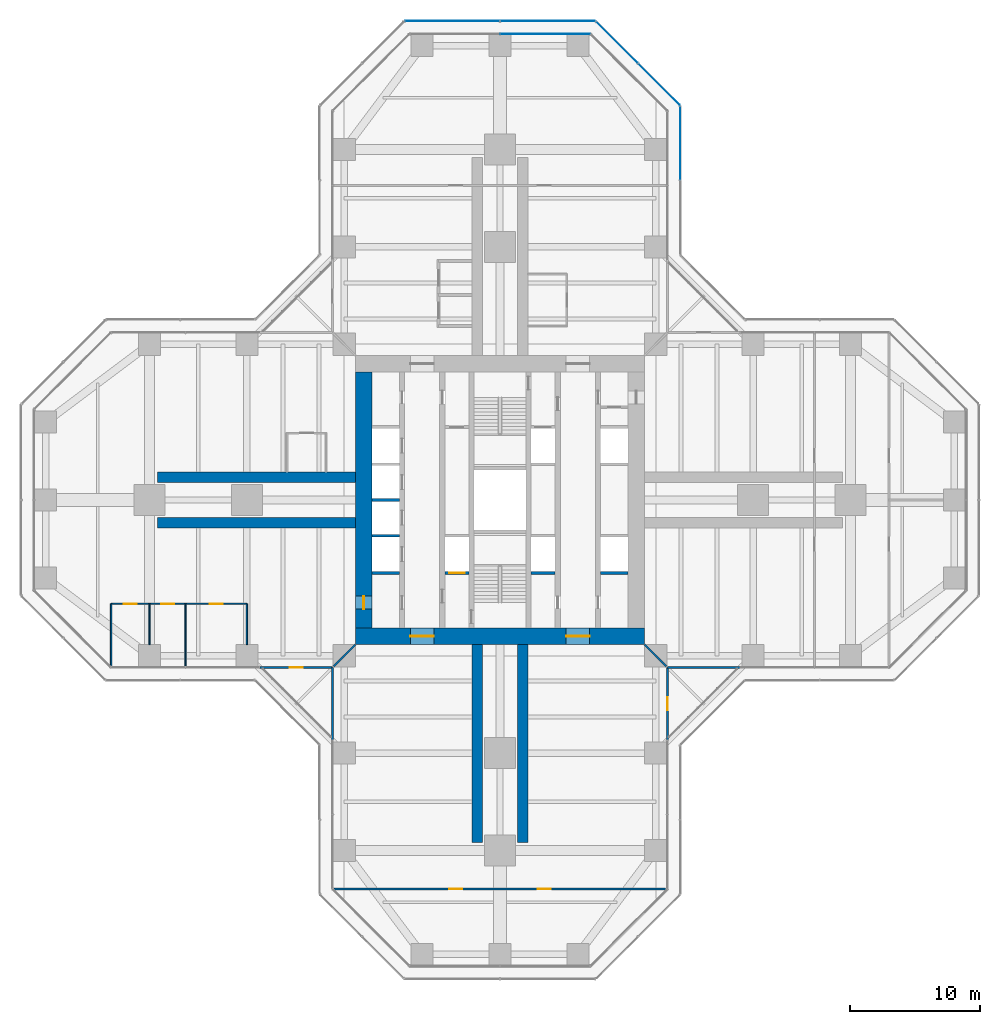
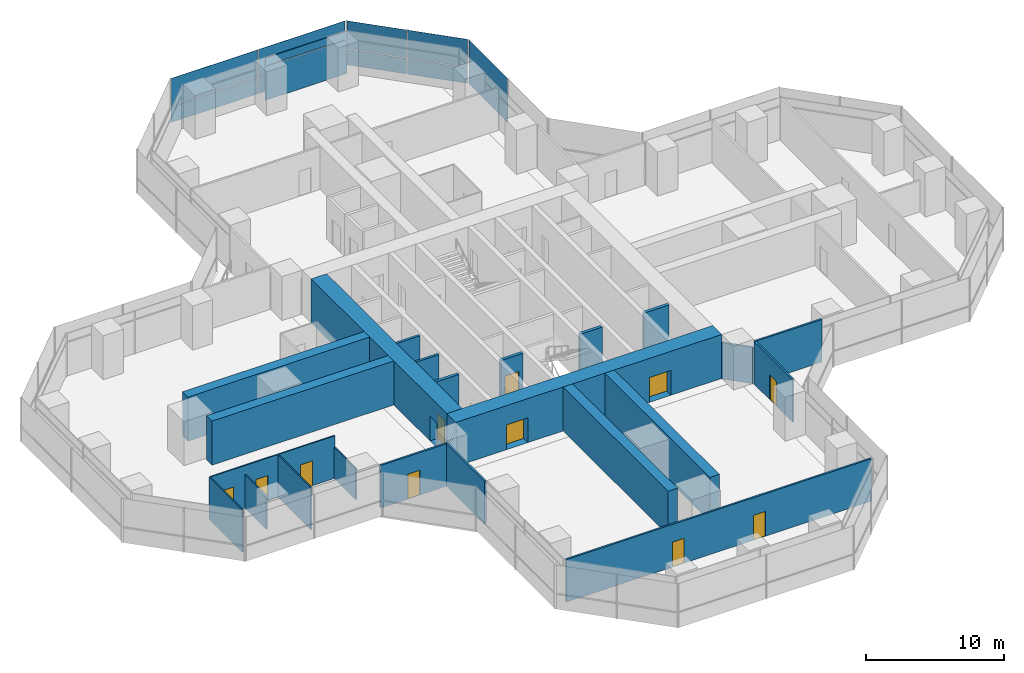
# One storey, part 17 of 22: 24 walls, 12 plates, 11 doors, 11 openings, 4 elements without a shape of their own.
"""IFC4 building model written with IfcOpenShell, lengths in metres."""

from ifc_helpers import new_model, si_unit, direction, frame, frame_2d, origin, origin_2d, place, context, subcontext, project, spatial, rectangle, extrude, material, layer, layer_set, type_object, element, fill, aggregate, save


model = new_model("IFC4")

# Units and contexts
model_context = context("Model", 3, precision=1e-05, world=origin(), true_north=direction((0.0, 1.0)))
body_context = subcontext(model_context, "Body", "Model", "MODEL_VIEW")
ifc_project = project(units=[si_unit("LENGTHUNIT", "METRE"), si_unit("AREAUNIT", "SQUARE_METRE"), si_unit("VOLUMEUNIT", "CUBIC_METRE"), si_unit("PLANEANGLEUNIT", "RADIAN"), si_unit("MASSUNIT", "GRAM", prefix="KILO")], contexts=[model_context])

# Site, building, storey
site_placement = place(None, origin())
site = spatial("IfcSite", under=ifc_project, at=site_placement, CompositionType="ELEMENT")
building_placement = place(site_placement, origin())
building = spatial("IfcBuilding", under=site, at=building_placement, Name="Mizan Broadcast Tower", CompositionType="ELEMENT")
storey_placement = place(building_placement, frame((0.0, 0.0, 66.89990234375)))
storey = spatial("IfcBuildingStorey", under=building, at=storey_placement, Name="L13", CompositionType="ELEMENT", Elevation=66.89990234375)

# Curtain wall, plates
ifc_material_1 = material(Name="Aluminium framed glazing", Category="aluminium")
curtain_wall_type_1 = type_object("IfcCurtainWallType", Name="INNER SKIN LOW ZONE", PredefinedType="USERDEFINED", material=ifc_material_1)
curtain_wall_1_placement = place(storey_placement, origin())
curtain_wall_1 = element("IfcCurtainWall", 1, at=curtain_wall_1_placement, inside=storey, type_object=curtain_wall_type_1, Name="Inner skin low zone L13 N end", ObjectType="INNER SKIN LOW ZONE", PredefinedType="USERDEFINED")
ifc_material_2 = material(Name="Double glazing, clear low-e", Category="glass")
ifc_layer_1 = layer(ifc_material_2, 0.028076171875)
ifc_layer_set_1 = layer_set([ifc_layer_1], Name="Double glazing, clear low-e")
plate_type_1 = type_object("IfcPlateType", Name="INNER SKIN GLAZING UNIT", PredefinedType="CURTAIN_PANEL", material=ifc_layer_set_1)
plate_1_placement = place(storey_placement, frame((3.46435546875, 35.89990234375, 0.0), z_axis=(0.0, 0.0, 1.0), x_axis=(-1.0, 0.0, 0.0)))
plate_1 = element("IfcPlate", 2, at=plate_1_placement, type_object=plate_type_1, Name="Inner skin low zone L13 N end panel 1.1", PredefinedType="CURTAIN_PANEL", context=body_context, shape_type="SweptSolid", body=[
    extrude(rectangle(XDim=6.86865234375, YDim=0.028076171875, at=origin_2d()), origin(), (0.0, 0.0, 1.0), 3.0),
])
ifc_material_3 = material(Name="Insulated aluminium spandrel panel, pale anodised", Category="aluminium")
ifc_layer_2 = layer(ifc_material_3, 0.050048828125)
ifc_layer_set_2 = layer_set([ifc_layer_2], Name="Insulated aluminium spandrel panel, pale anodised")
plate_type_2 = type_object("IfcPlateType", Name="INNER SKIN SPANDREL PANEL", PredefinedType="CURTAIN_PANEL", material=ifc_layer_set_2)
plate_2_placement = place(storey_placement, frame((3.46435546875, 35.89990234375, 3.06005859375), z_axis=(0.0, 0.0, 1.0), x_axis=(-1.0, 0.0, 0.0)))
plate_2 = element("IfcPlate", 3, at=plate_2_placement, type_object=plate_type_2, Name="Inner skin low zone L13 N end panel 1.2", PredefinedType="CURTAIN_PANEL", context=body_context, shape_type="SweptSolid", body=[
    extrude(rectangle(XDim=6.86865234375, YDim=0.050048828125, at=origin_2d()), origin(), (0.0, 0.0, 1.0), 0.7099609375),
])
aggregate(curtain_wall_1, [plate_1, plate_2])

ifc_material_4 = material(Name="Aluminium framed glazing", Category="aluminium")
curtain_wall_type_2 = type_object("IfcCurtainWallType", Name="OUTER SKIN", PredefinedType="USERDEFINED", material=ifc_material_4)
curtain_wall_2_placement = place(storey_placement, origin())
curtain_wall_2 = element("IfcCurtainWall", 4, at=curtain_wall_2_placement, inside=storey, type_object=curtain_wall_type_2, Name="Outer skin L13 N chamfer", ObjectType="OUTER SKIN", PredefinedType="USERDEFINED")
ifc_material_5 = material(Name="Laminated clear glass", Category="glass")
ifc_layer_3 = layer(ifc_material_5, 0.02001953125)
ifc_layer_set_3 = layer_set([ifc_layer_3], Name="Laminated clear glass")
plate_type_3 = type_object("IfcPlateType", Name="OUTER SKIN CLEAR GLASS", PredefinedType="CURTAIN_PANEL", material=ifc_layer_set_3)
plate_3_placement = place(storey_placement, frame((12.254150390625, 32.018798828125, 0.0), z_axis=(0.0, 0.0, 1.0), x_axis=(-0.707106781187, 0.707106781187, 0.0)))
plate_3 = element("IfcPlate", 5, at=plate_3_placement, type_object=plate_type_3, Name="Outer skin L13 N chamfer panel 1.1", PredefinedType="CURTAIN_PANEL", context=body_context, shape_type="SweptSolid", body=[
    extrude(rectangle(XDim=4.495361328125, YDim=0.02001953125, at=origin_2d()), origin(), (0.0, 0.0, 1.0), 1.3701171875),
])
plate_4_placement = place(storey_placement, frame((12.254150390625, 32.018798828125, 1.43017578125), z_axis=(0.0, 0.0, 1.0), x_axis=(-0.707106781187, 0.707106781187, 0.0)))
plate_4 = element("IfcPlate", 6, at=plate_4_placement, type_object=plate_type_3, Name="Outer skin L13 N chamfer panel 1.2", PredefinedType="CURTAIN_PANEL", context=body_context, shape_type="SweptSolid", body=[
    extrude(rectangle(XDim=4.495361328125, YDim=0.02001953125, at=origin_2d()), origin(), (0.0, 0.0, 1.0), 2.469970703125),
])

curtain_wall_3_placement = place(storey_placement, origin())
curtain_wall_3 = element("IfcCurtainWall", 7, at=curtain_wall_3_placement, inside=storey, type_object=curtain_wall_type_2, Name="Outer skin L13 N end", ObjectType="OUTER SKIN", PredefinedType="USERDEFINED")
plate_5_placement = place(storey_placement, frame((3.66650390625, 36.89990234375, 0.0), z_axis=(0.0, 0.0, 1.0), x_axis=(-1.0, 0.0, 0.0)))
plate_5 = element("IfcPlate", 8, at=plate_5_placement, type_object=plate_type_3, Name="Outer skin L13 N end panel 1.1", PredefinedType="CURTAIN_PANEL", context=body_context, shape_type="SweptSolid", body=[
    extrude(rectangle(XDim=7.252685546875, YDim=0.02001953125, at=origin_2d()), origin(), (0.0, 0.0, 1.0), 1.3701171875),
])
plate_6_placement = place(storey_placement, frame((3.66650390625, 36.89990234375, 1.43017578125), z_axis=(0.0, 0.0, 1.0), x_axis=(-1.0, 0.0, 0.0)))
plate_6 = element("IfcPlate", 9, at=plate_6_placement, type_object=plate_type_3, Name="Outer skin L13 N end panel 1.2", PredefinedType="CURTAIN_PANEL", context=body_context, shape_type="SweptSolid", body=[
    extrude(rectangle(XDim=7.252685546875, YDim=0.02001953125, at=origin_2d()), origin(), (0.0, 0.0, 1.0), 2.469970703125),
])
plate_7_placement = place(storey_placement, frame((-3.66650390625, 36.89990234375, 0.0), z_axis=(0.0, 0.0, 1.0), x_axis=(-1.0, 0.0, 0.0)))
plate_7 = element("IfcPlate", 10, at=plate_7_placement, type_object=plate_type_3, Name="Outer skin L13 N end panel 2.1", PredefinedType="CURTAIN_PANEL", context=body_context, shape_type="SweptSolid", body=[
    extrude(rectangle(XDim=7.252685546875, YDim=0.02001953125, at=origin_2d()), origin(), (0.0, 0.0, 1.0), 1.3701171875),
])
plate_8_placement = place(storey_placement, frame((-3.66650390625, 36.89990234375, 1.43017578125), z_axis=(0.0, 0.0, 1.0), x_axis=(-1.0, 0.0, 0.0)))
plate_8 = element("IfcPlate", 11, at=plate_8_placement, type_object=plate_type_3, Name="Outer skin L13 N end panel 2.2", PredefinedType="CURTAIN_PANEL", context=body_context, shape_type="SweptSolid", body=[
    extrude(rectangle(XDim=7.252685546875, YDim=0.02001953125, at=origin_2d()), origin(), (0.0, 0.0, 1.0), 2.469970703125),
])
aggregate(curtain_wall_3, [plate_5, plate_6, plate_7, plate_8])

curtain_wall_4_placement = place(storey_placement, origin())
curtain_wall_4 = element("IfcCurtainWall", 12, at=curtain_wall_4_placement, inside=storey, type_object=curtain_wall_type_2, Name="Outer skin L13 N side", ObjectType="OUTER SKIN", PredefinedType="USERDEFINED")
ifc_material_6 = material(Name="Perforated aluminium, pale anodised", Category="aluminium")
ifc_layer_4 = layer(ifc_material_6, 0.011962890625)
ifc_layer_set_4 = layer_set([ifc_layer_4], Name="Perforated aluminium, pale anodised")
plate_type_4 = type_object("IfcPlateType", Name="OUTER SKIN PERFORATED SCREEN", PredefinedType="USERDEFINED", material=ifc_layer_set_4)
plate_9_placement = place(storey_placement, frame((13.89990234375, 27.477783203125, 0.0), z_axis=(0.0, 0.0, 1.0), x_axis=(0.0, 1.0, 0.0)))
plate_9 = element("IfcPlate", 13, at=plate_9_placement, type_object=plate_type_4, Name="Outer skin L13 N side panel 2.1", ObjectType="SCREEN", PredefinedType="USERDEFINED", context=body_context, shape_type="SweptSolid", body=[
    extrude(rectangle(XDim=5.6298828125, YDim=0.011962890625, at=origin_2d()), origin(), (0.0, 0.0, 1.0), 1.3701171875),
])
plate_10_placement = place(storey_placement, frame((13.89990234375, 27.477783203125, 1.43017578125), z_axis=(0.0, 0.0, 1.0), x_axis=(0.0, 1.0, 0.0)))
plate_10 = element("IfcPlate", 14, at=plate_10_placement, type_object=plate_type_4, Name="Outer skin L13 N side panel 2.2", ObjectType="SCREEN", PredefinedType="USERDEFINED", context=body_context, shape_type="SweptSolid", body=[
    extrude(rectangle(XDim=5.6298828125, YDim=0.011962890625, at=origin_2d()), origin(), (0.0, 0.0, 1.0), 2.469970703125),
])
aggregate(curtain_wall_4, [plate_9, plate_10])

# Plate
plate_11_placement = place(storey_placement, frame((9.018798828125, 35.254150390625, 0.0), z_axis=(0.0, 0.0, 1.0), x_axis=(-0.707106781187, 0.707106781187, 0.0)))
plate_11 = element("IfcPlate", 15, at=plate_11_placement, type_object=plate_type_4, Name="Outer skin L13 N chamfer panel 2.1", ObjectType="SCREEN", PredefinedType="USERDEFINED", context=body_context, shape_type="SweptSolid", body=[
    extrude(rectangle(XDim=4.495361328125, YDim=0.011962890625, at=origin_2d()), origin(), (0.0, 0.0, 1.0), 1.3701171875),
])

plate_12_placement = place(storey_placement, frame((9.018798828125, 35.254150390625, 1.43017578125), z_axis=(0.0, 0.0, 1.0), x_axis=(-0.707106781187, 0.707106781187, 0.0)))
plate_12 = element("IfcPlate", 16, at=plate_12_placement, type_object=plate_type_4, Name="Outer skin L13 N chamfer panel 2.2", ObjectType="SCREEN", PredefinedType="USERDEFINED", context=body_context, shape_type="SweptSolid", body=[
    extrude(rectangle(XDim=4.495361328125, YDim=0.011962890625, at=origin_2d()), origin(), (0.0, 0.0, 1.0), 2.469970703125),
])

aggregate(curtain_wall_2, [plate_3, plate_4, plate_11, plate_12])

# Wall, openings, doors
ifc_material_7 = material(Name="Concrete C70/85", Category="concrete")
ifc_layer_5 = layer(ifc_material_7, 1.300048828125)
ifc_layer_set_5 = layer_set([ifc_layer_5], Name="Concrete C70/85")
wall_type_1 = type_object("IfcWallType", Name="CORE WALL 1300", PredefinedType="SHEAR", material=ifc_layer_set_5)
wall_1_placement = place(storey_placement, frame((11.14990234375, -10.5, 0.0), z_axis=(0.0, 0.0, 1.0), x_axis=(-1.0, 0.0, 0.0)))
wall_1 = element("IfcWall", 17, at=wall_1_placement, inside=storey, type_object=wall_type_1, Name="Core wall S L13", PredefinedType="SHEAR", context=body_context, shape_type="SweptSolid", body=[
    extrude(rectangle(XDim=22.2998046875, YDim=1.300048828125, at=frame_2d((11.14990234375, 0.0))), origin(), (0.0, 0.0, 1.0), 3.900146484375),
])
opening_1_placement = place(wall_1_placement, frame((16.25, 0.0, 0.0)))
opening_1 = element("IfcOpeningElement", 18, at=opening_1_placement, cuts=wall_1, Name="Opening D18F", PredefinedType="OPENING", context=body_context, shape_type="SweptSolid", body=[
    extrude(rectangle(XDim=1.800048828125, YDim=2.199951171875, at=frame_2d((0.89990234375, 1.10009765625))), frame((0.0, 0.659912109375, 0.0), z_axis=(0.0, -1.0, 0.0), x_axis=(1.0, 0.0, 0.0)), (0.0, 0.0, 1.0), 1.320068359375),
])
opening_2_placement = place(wall_1_placement, frame((4.25, 0.0, 0.0)))
opening_2 = element("IfcOpeningElement", 19, at=opening_2_placement, cuts=wall_1, Name="Opening D18F", PredefinedType="OPENING", context=body_context, shape_type="SweptSolid", body=[
    extrude(rectangle(XDim=1.800048828125, YDim=2.199951171875, at=frame_2d((0.89990234375, 1.10009765625))), frame((0.0, 0.659912109375, 0.0), z_axis=(0.0, -1.0, 0.0), x_axis=(1.0, 0.0, 0.0)), (0.0, 0.0, 1.0), 1.320068359375),
])
ifc_material_8 = material(Name="Steel door leaf in steel frame", Category="steel")
door_type_1 = type_object("IfcDoorType", Name="LOBBY DOUBLE DOOR 1800 FD90", OperationType="DOUBLE_DOOR_DOUBLE_SWING", PredefinedType="DOOR", material=ifc_material_8)
door_1_placement = place(opening_1_placement, origin())
door_1 = element("IfcDoor", 20, at=door_1_placement, inside=storey, type_object=door_type_1, Name="West lift lobby south door", OperationType="DOUBLE_DOOR_DOUBLE_SWING", OverallHeight=2.199951171875, OverallWidth=1.800048828125, PredefinedType="DOOR", context=body_context, shape_type="SweptSolid", body=[
    extrude(rectangle(XDim=1.800048828125, YDim=2.199951171875, at=frame_2d((0.89990234375, 1.10009765625))), frame((0.0, 0.02490234375, 0.0), z_axis=(0.0, -1.0, 0.0), x_axis=(1.0, 0.0, 0.0)), (0.0, 0.0, 1.0), 0.050048828125),
])
fill(opening_1, door_1)
door_2_placement = place(opening_2_placement, origin())
door_2 = element("IfcDoor", 21, at=door_2_placement, inside=storey, type_object=door_type_1, Name="East lift lobby south door", OperationType="DOUBLE_DOOR_DOUBLE_SWING", OverallHeight=2.199951171875, OverallWidth=1.800048828125, PredefinedType="DOOR", context=body_context, shape_type="SweptSolid", body=[
    extrude(rectangle(XDim=1.800048828125, YDim=2.199951171875, at=frame_2d((0.89990234375, 1.10009765625))), frame((0.0, 0.02490234375, 0.0), z_axis=(0.0, -1.0, 0.0), x_axis=(1.0, 0.0, 0.0)), (0.0, 0.0, 1.0), 0.050048828125),
])
fill(opening_2, door_2)

# Wall, opening, door
wall_2_placement = place(storey_placement, frame((-10.5, 9.85009765625, 0.0), z_axis=(0.0, 0.0, 1.0), x_axis=(0.0, -1.0, 0.0)))
wall_2 = element("IfcWall", 22, at=wall_2_placement, inside=storey, type_object=wall_type_1, Name="Core wall W L13", PredefinedType="SHEAR", context=body_context, shape_type="SweptSolid", body=[
    extrude(rectangle(XDim=19.7001953125, YDim=1.300048828125, at=frame_2d((9.85009765625, 0.0))), origin(), (0.0, 0.0, 1.0), 3.900146484375),
])
opening_3_placement = place(wall_2_placement, frame((17.25, 0.0, 0.0)))
opening_3 = element("IfcOpeningElement", 23, at=opening_3_placement, cuts=wall_2, Name="Opening D10F", PredefinedType="OPENING", context=body_context, shape_type="SweptSolid", body=[
    extrude(rectangle(XDim=1.0, YDim=2.199951171875, at=frame_2d((0.5, 1.10009765625))), frame((0.0, 0.659912109375, 0.0), z_axis=(0.0, -1.0, 0.0), x_axis=(1.0, 0.0, 0.0)), (0.0, 0.0, 1.0), 1.320068359375),
])
ifc_material_9 = material(Name="Steel door leaf in steel frame", Category="steel")
door_type_2 = type_object("IfcDoorType", Name="FIRE DOOR 1000 FD90", OperationType="SINGLE_SWING_LEFT", PredefinedType="DOOR", material=ifc_material_9)
door_3_placement = place(opening_3_placement, origin())
door_3 = element("IfcDoor", 24, at=door_3_placement, inside=storey, type_object=door_type_2, Name="West core passage arm door", OperationType="SINGLE_SWING_RIGHT", OverallHeight=2.199951171875, OverallWidth=1.0, PredefinedType="DOOR", context=body_context, shape_type="SweptSolid", body=[
    extrude(rectangle(XDim=1.0, YDim=2.199951171875, at=frame_2d((0.5, 1.10009765625))), frame((0.0, 0.02490234375, 0.0), z_axis=(0.0, -1.0, 0.0), x_axis=(1.0, 0.0, 0.0)), (0.0, 0.0, 1.0), 0.050048828125),
])
fill(opening_3, door_3)

# Wall
ifc_material_10 = material(Name="Aluminium framed glazed screen", Category="aluminium")
ifc_layer_6 = layer(ifc_material_10, 0.159912109375)
ifc_layer_set_6 = layer_set([ifc_layer_6], Name="Aluminium framed glazed screen")
wall_type_2 = type_object("IfcWallType", Name="GLAZED SCREEN WALL 160", PredefinedType="SOLIDWALL", material=ifc_layer_set_6)
wall_3_placement = place(storey_placement, frame((12.89990234375, -12.89990234375, 0.0), z_axis=(0.0, 0.0, 1.0), x_axis=(1.0, 0.0, 0.0)))
element("IfcWall", 25, at=wall_3_placement, inside=storey, type_object=wall_type_2, Name="Winter garden screen L13 E", PredefinedType="SOLIDWALL", context=body_context, shape_type="SweptSolid", body=[
    extrude(rectangle(XDim=5.60009765625, YDim=0.159912109375, at=frame_2d((2.800048828125, 0.0))), origin(), (0.0, 0.0, 1.0), 3.77001953125),
])

# Wall, opening, door
wall_4_placement = place(storey_placement, frame((-18.5, -12.89990234375, 0.0), z_axis=(0.0, 0.0, 1.0), x_axis=(1.0, 0.0, 0.0)))
wall_4 = element("IfcWall", 26, at=wall_4_placement, inside=storey, type_object=wall_type_2, Name="Winter garden screen L13 W", PredefinedType="SOLIDWALL", context=body_context, shape_type="SweptSolid", body=[
    extrude(rectangle(XDim=5.60009765625, YDim=0.159912109375, at=frame_2d((2.800048828125, 0.0))), origin(), (0.0, 0.0, 1.0), 3.77001953125),
])
opening_4_placement = place(wall_4_placement, frame((2.300048828125, 0.0, 0.0)))
opening_4 = element("IfcOpeningElement", 27, at=opening_4_placement, cuts=wall_4, Name="Opening WGD", PredefinedType="OPENING", context=body_context, shape_type="SweptSolid", body=[
    extrude(rectangle(XDim=1.0, YDim=2.199951171875, at=frame_2d((0.5, 1.10009765625))), frame((0.0, 0.08984375, 0.0), z_axis=(0.0, -1.0, 0.0), x_axis=(1.0, 0.0, 0.0)), (0.0, 0.0, 1.0), 0.179931640625),
])
ifc_material_11 = material(Name="Aluminium framed glazed door", Category="aluminium")
door_type_3 = type_object("IfcDoorType", Name="WINTER GARDEN DOOR 1000 GLAZED", OperationType="SINGLE_SWING_LEFT", PredefinedType="DOOR", material=ifc_material_11)
door_4_placement = place(opening_4_placement, origin())
door_4 = element("IfcDoor", 28, at=door_4_placement, inside=storey, type_object=door_type_3, Name="Winter garden door L13 W", OperationType="SINGLE_SWING_RIGHT", OverallHeight=2.199951171875, OverallWidth=1.0, PredefinedType="DOOR", context=body_context, shape_type="SweptSolid", body=[
    extrude(rectangle(XDim=1.0, YDim=2.199951171875, at=frame_2d((0.5, 1.10009765625))), frame((0.0, 0.02490234375, 0.0), z_axis=(0.0, -1.0, 0.0), x_axis=(1.0, 0.0, 0.0)), (0.0, 0.0, 1.0), 0.050048828125),
])
fill(opening_4, door_4)

# Wall
wall_5_placement = place(storey_placement, frame((-12.89990234375, -12.89990234375, 0.0), z_axis=(0.0, 0.0, 1.0), x_axis=(0.0, -1.0, 0.0)))
element("IfcWall", 29, at=wall_5_placement, inside=storey, type_object=wall_type_2, Name="Winter garden screen L13 S", PredefinedType="SOLIDWALL", context=body_context, shape_type="SweptSolid", body=[
    extrude(rectangle(XDim=5.60009765625, YDim=0.159912109375, at=frame_2d((2.800048828125, 0.0))), origin(), (0.0, 0.0, 1.0), 3.77001953125),
])

# Wall, opening, door
wall_6_placement = place(storey_placement, frame((12.89990234375, -18.5, 0.0), z_axis=(0.0, 0.0, 1.0), x_axis=(0.0, 1.0, 0.0)))
wall_6 = element("IfcWall", 30, at=wall_6_placement, inside=storey, type_object=wall_type_2, Name="Winter garden screen L13 S", PredefinedType="SOLIDWALL", context=body_context, shape_type="SweptSolid", body=[
    extrude(rectangle(XDim=5.60009765625, YDim=0.159912109375, at=frame_2d((2.800048828125, 0.0))), origin(), (0.0, 0.0, 1.0), 3.77001953125),
])
opening_5_placement = place(wall_6_placement, frame((2.300048828125, 0.0, 0.0)))
opening_5 = element("IfcOpeningElement", 31, at=opening_5_placement, cuts=wall_6, Name="Opening WGD", PredefinedType="OPENING", context=body_context, shape_type="SweptSolid", body=[
    extrude(rectangle(XDim=1.0, YDim=2.199951171875, at=frame_2d((0.5, 1.10009765625))), frame((0.0, 0.08984375, 0.0), z_axis=(0.0, -1.0, 0.0), x_axis=(1.0, 0.0, 0.0)), (0.0, 0.0, 1.0), 0.179931640625),
])
door_5_placement = place(opening_5_placement, origin())
door_5 = element("IfcDoor", 32, at=door_5_placement, inside=storey, type_object=door_type_3, Name="Winter garden door L13 S", OperationType="SINGLE_SWING_RIGHT", OverallHeight=2.199951171875, OverallWidth=1.0, PredefinedType="DOOR", context=body_context, shape_type="SweptSolid", body=[
    extrude(rectangle(XDim=1.0, YDim=2.199951171875, at=frame_2d((0.5, 1.10009765625))), frame((0.0, 0.02490234375, 0.0), z_axis=(0.0, -1.0, 0.0), x_axis=(1.0, 0.0, 0.0)), (0.0, 0.0, 1.0), 0.050048828125),
])
fill(opening_5, door_5)

# Walls
ifc_material_12 = material(Name="Concrete blockwork", Category="masonry")
ifc_layer_7 = layer(ifc_material_12, 0.199951171875)
ifc_layer_set_7 = layer_set([ifc_layer_7], Name="Concrete blockwork")
wall_type_3 = type_object("IfcWallType", Name="LIFT SHAFT WALL 200", PredefinedType="SOLIDWALL", material=ifc_layer_set_7)
for number, where, z_axis, x_axis, name in (
    (33, (-9.85009765625, -2.75, 0.0), (0.0, 0.0, 1.0), (1.0, 0.0, 0.0), "Lift shaft wall CORE/SW1-1"),
    (34, (-9.85009765625, 0.0, 0.0), (0.0, 0.0, 1.0), (1.0, 0.0, 0.0), "Lift shaft wall CORE/SW1-2"),
):
    element("IfcWall", number, at=place(storey_placement, frame(where, z_axis=z_axis, x_axis=x_axis)), inside=storey, type_object=wall_type_3, Name=name, PredefinedType="SOLIDWALL", context=body_context, shape_type="SweptSolid", body=[
        extrude(rectangle(XDim=2.10009765625, YDim=0.199951171875, at=frame_2d((1.050048828125, 0.0))), origin(), (0.0, 0.0, 1.0), 3.7001953125),
    ])
ifc_material_13 = material(Name="Concrete blockwork", Category="masonry")
ifc_layer_8 = layer(ifc_material_13, 0.25)
ifc_layer_set_8 = layer_set([ifc_layer_8], Name="Concrete blockwork")
wall_type_4 = type_object("IfcWallType", Name="LOBBY ENCLOSURE WALL 250", PredefinedType="SOLIDWALL", material=ifc_layer_set_8)
wall_7_placement = place(storey_placement, frame((-9.85009765625, -5.625, 0.0), z_axis=(0.0, 0.0, 1.0), x_axis=(1.0, 0.0, 0.0)))
element("IfcWall", 35, at=wall_7_placement, inside=storey, type_object=wall_type_4, Name="Lobby enclosure wall CORE/BW1S", PredefinedType="SOLIDWALL", context=body_context, shape_type="SweptSolid", body=[
    extrude(rectangle(XDim=2.10009765625, YDim=0.25, at=frame_2d((1.050048828125, 0.0))), origin(), (0.0, 0.0, 1.0), 3.7001953125),
])

# Wall, opening, door
wall_8_placement = place(storey_placement, frame((-4.25, -5.625, 0.0), z_axis=(0.0, 0.0, 1.0), x_axis=(1.0, 0.0, 0.0)))
wall_8 = element("IfcWall", 36, at=wall_8_placement, inside=storey, type_object=wall_type_4, Name="Lobby enclosure wall CORE/BW2S", PredefinedType="SOLIDWALL", context=body_context, shape_type="SweptSolid", body=[
    extrude(rectangle(XDim=1.85009765625, YDim=0.25, at=frame_2d((0.925048828125, 0.0))), origin(), (0.0, 0.0, 1.0), 3.7001953125),
])
opening_6_placement = place(wall_8_placement, frame((0.324951171875, 0.0, 0.0)))
opening_6 = element("IfcOpeningElement", 37, at=opening_6_placement, cuts=wall_8, Name="Opening LDF", PredefinedType="OPENING", context=body_context, shape_type="SweptSolid", body=[
    extrude(rectangle(XDim=1.199951171875, YDim=2.199951171875, at=frame_2d((0.60009765625, 1.10009765625))), frame((0.0, 0.135009765625, 0.0), z_axis=(0.0, -1.0, 0.0), x_axis=(1.0, 0.0, 0.0)), (0.0, 0.0, 1.0), 0.27001953125),
])
ifc_material_14 = material(Name="Steel door leaf in steel frame", Category="steel")
door_type_4 = type_object("IfcDoorType", Name="FIREFIGHTING LIFT LANDING DOOR 1200", OperationType="SLIDING_TO_LEFT", PredefinedType="DOOR", material=ifc_material_14)
door_6_placement = place(opening_6_placement, origin())
door_6 = element("IfcDoor", 38, at=door_6_placement, inside=storey, type_object=door_type_4, Name="Landing door FF1", OperationType="SLIDING_TO_LEFT", OverallHeight=2.199951171875, OverallWidth=1.199951171875, PredefinedType="DOOR", context=body_context, shape_type="SweptSolid", body=[
    extrude(rectangle(XDim=1.199951171875, YDim=2.199951171875, at=frame_2d((0.60009765625, 1.10009765625))), frame((0.0, 0.02490234375, 0.0), z_axis=(0.0, -1.0, 0.0), x_axis=(1.0, 0.0, 0.0)), (0.0, 0.0, 1.0), 0.050048828125),
])
fill(opening_6, door_6)

# Walls
wall_9_placement = place(storey_placement, frame((2.39990234375, -5.625, 0.0), z_axis=(0.0, 0.0, 1.0), x_axis=(1.0, 0.0, 0.0)))
element("IfcWall", 39, at=wall_9_placement, inside=storey, type_object=wall_type_4, Name="Lobby enclosure wall CORE/BE2S", PredefinedType="SOLIDWALL", context=body_context, shape_type="SweptSolid", body=[
    extrude(rectangle(XDim=1.85009765625, YDim=0.25, at=frame_2d((0.925048828125, 0.0))), origin(), (0.0, 0.0, 1.0), 3.7001953125),
])
wall_10_placement = place(storey_placement, frame((7.75, -5.625, 0.0), z_axis=(0.0, 0.0, 1.0), x_axis=(1.0, 0.0, 0.0)))
element("IfcWall", 40, at=wall_10_placement, inside=storey, type_object=wall_type_4, Name="Lobby enclosure wall CORE/BE1S", PredefinedType="SOLIDWALL", context=body_context, shape_type="SweptSolid", body=[
    extrude(rectangle(XDim=2.10009765625, YDim=0.25, at=frame_2d((1.050048828125, 0.0))), origin(), (0.0, 0.0, 1.0), 3.7001953125),
])

# Wall, openings, doors
ifc_material_15 = material(Name="Gypsum board on steel studs", Category="steel")
ifc_layer_9 = layer(ifc_material_15, 0.14990234375)
ifc_layer_set_9 = layer_set([ifc_layer_9], Name="Gypsum board on steel studs")
wall_type_5 = type_object("IfcWallType", Name="PARTITION 150", PredefinedType="PARTITIONING", material=ifc_layer_set_9)
wall_11_placement = place(storey_placement, frame((-12.786376953125, -29.958984375, 0.0), z_axis=(0.0, 0.0, 1.0), x_axis=(1.0, 0.0, 0.0)))
wall_11 = element("IfcWall", 41, at=wall_11_placement, inside=storey, type_object=wall_type_5, Name="Partition PT/SX1", PredefinedType="PARTITIONING", context=body_context, shape_type="SweptSolid", body=[
    extrude(rectangle(XDim=25.57275390625, YDim=0.14990234375, at=frame_2d((12.786376953125, 0.0))), origin(), (0.0, 0.0, 1.0), 3.77001953125),
])
opening_7_placement = place(wall_11_placement, frame((15.6865234375, 0.0, 0.0)))
opening_7 = element("IfcOpeningElement", 42, at=opening_7_placement, cuts=wall_11, Name="Opening D10", PredefinedType="OPENING", context=body_context, shape_type="SweptSolid", body=[
    extrude(rectangle(XDim=1.0, YDim=2.199951171875, at=frame_2d((0.5, 1.10009765625))), frame((0.0, 0.0849609375, 0.0), z_axis=(0.0, -1.0, 0.0), x_axis=(1.0, 0.0, 0.0)), (0.0, 0.0, 1.0), 0.169921875),
])
opening_8_placement = place(wall_11_placement, frame((8.886474609375, 0.0, 0.0)))
opening_8 = element("IfcOpeningElement", 43, at=opening_8_placement, cuts=wall_11, Name="Opening D10", PredefinedType="OPENING", context=body_context, shape_type="SweptSolid", body=[
    extrude(rectangle(XDim=1.0, YDim=2.199951171875, at=frame_2d((0.5, 1.10009765625))), frame((0.0, 0.0849609375, 0.0), z_axis=(0.0, -1.0, 0.0), x_axis=(1.0, 0.0, 0.0)), (0.0, 0.0, 1.0), 0.169921875),
])
ifc_material_16 = material(Name="Timber door leaf in aluminium frame", Category="wood")
door_type_5 = type_object("IfcDoorType", Name="ROOM DOOR 1000", OperationType="SINGLE_SWING_LEFT", PredefinedType="DOOR", material=ifc_material_16)
door_7_placement = place(opening_7_placement, origin())
door_7 = element("IfcDoor", 44, at=door_7_placement, inside=storey, type_object=door_type_5, Name="Video studio door", OperationType="SINGLE_SWING_RIGHT", OverallHeight=2.199951171875, OverallWidth=1.0, PredefinedType="DOOR", context=body_context, shape_type="SweptSolid", body=[
    extrude(rectangle(XDim=1.0, YDim=2.199951171875, at=frame_2d((0.5, 1.10009765625))), frame((0.0, 0.02490234375, 0.0), z_axis=(0.0, -1.0, 0.0), x_axis=(1.0, 0.0, 0.0)), (0.0, 0.0, 1.0), 0.050048828125),
])
fill(opening_7, door_7)
door_8_placement = place(opening_8_placement, origin())
door_8 = element("IfcDoor", 45, at=door_8_placement, inside=storey, type_object=door_type_5, Name="Video studio door", OperationType="SINGLE_SWING_LEFT", OverallHeight=2.199951171875, OverallWidth=1.0, PredefinedType="DOOR", context=body_context, shape_type="SweptSolid", body=[
    extrude(rectangle(XDim=1.0, YDim=2.199951171875, at=frame_2d((0.5, 1.10009765625))), frame((0.0, 0.02490234375, 0.0), z_axis=(0.0, -1.0, 0.0), x_axis=(1.0, 0.0, 0.0)), (0.0, 0.0, 1.0), 0.050048828125),
])
fill(opening_8, door_8)

# Walls
for number, where, z_axis, x_axis, name in (
    (46, (-11.14990234375, -11.14990234375, 0.0), (0.0, 0.0, 1.0), (-0.707106781187, -0.707106781187, 0.0), "Partition PT/DGWS"),
    (47, (11.14990234375, -11.14990234375, 0.0), (0.0, 0.0, 1.0), (0.707106781187, -0.707106781187, 0.0), "Partition PT/DGES"),
):
    element("IfcWall", number, at=place(storey_placement, frame(where, z_axis=z_axis, x_axis=x_axis)), inside=storey, type_object=wall_type_5, Name=name, PredefinedType="PARTITIONING", context=body_context, shape_type="SweptSolid", body=[
        extrude(rectangle(XDim=2.362060546875, YDim=0.14990234375, at=frame_2d((1.18115234375, 0.0))), origin(), (0.0, 0.0, 1.0), 3.22021484375),
    ])

# Wall, openings, doors
ifc_material_17 = material(Name="Glazed aluminium partition on aluminium track", Category="aluminium")
ifc_layer_10 = layer(ifc_material_17, 0.10009765625)
ifc_layer_set_10 = layer_set([ifc_layer_10], Name="Glazed aluminium partition on aluminium track")
wall_type_6 = type_object("IfcWallType", Name="PARTITION GLAZED OFFICE FRONT 100", PredefinedType="PARTITIONING", material=ifc_layer_set_10)
wall_12_placement = place(storey_placement, frame((-19.5, -8.0, 0.0), z_axis=(0.0, 0.0, 1.0), x_axis=(-1.0, 0.0, 0.0)))
wall_12 = element("IfcWall", 48, at=wall_12_placement, inside=storey, type_object=wall_type_6, Name="Glazed office front PT/WCP0", PredefinedType="PARTITIONING", context=body_context, shape_type="SweptSolid", body=[
    extrude(rectangle(XDim=10.458984375, YDim=0.10009765625, at=frame_2d((5.2294921875, 0.0))), origin(), (0.0, 0.0, 1.0), 3.77001953125),
])
opening_9_placement = place(wall_12_placement, frame((1.864501953125, 0.0, 0.0)))
opening_9 = element("IfcOpeningElement", 49, at=opening_9_placement, cuts=wall_12, Name="Opening D10O", PredefinedType="OPENING", context=body_context, shape_type="SweptSolid", body=[
    extrude(rectangle(XDim=1.0, YDim=2.199951171875, at=frame_2d((0.5, 1.10009765625))), frame((0.0, 0.06005859375, 0.0), z_axis=(0.0, -1.0, 0.0), x_axis=(1.0, 0.0, 0.0)), (0.0, 0.0, 1.0), 0.1201171875),
])
opening_10_placement = place(wall_12_placement, frame((5.614501953125, 0.0, 0.0)))
opening_10 = element("IfcOpeningElement", 50, at=opening_10_placement, cuts=wall_12, Name="Opening D10O", PredefinedType="OPENING", context=body_context, shape_type="SweptSolid", body=[
    extrude(rectangle(XDim=1.0, YDim=2.199951171875, at=frame_2d((0.5, 1.10009765625))), frame((0.0, 0.06005859375, 0.0), z_axis=(0.0, -1.0, 0.0), x_axis=(1.0, 0.0, 0.0)), (0.0, 0.0, 1.0), 0.1201171875),
])
opening_11_placement = place(wall_12_placement, frame((8.4794921875, 0.0, 0.0)))
opening_11 = element("IfcOpeningElement", 51, at=opening_11_placement, cuts=wall_12, Name="Opening D10O", PredefinedType="OPENING", context=body_context, shape_type="SweptSolid", body=[
    extrude(rectangle(XDim=1.0, YDim=2.199951171875, at=frame_2d((0.5, 1.10009765625))), frame((0.0, 0.06005859375, 0.0), z_axis=(0.0, -1.0, 0.0), x_axis=(1.0, 0.0, 0.0)), (0.0, 0.0, 1.0), 0.1201171875),
])
ifc_material_18 = material(Name="Timber door leaf in aluminium frame", Category="wood")
door_type_6 = type_object("IfcDoorType", Name="OFFICE DOOR 1000 GLAZED", OperationType="SINGLE_SWING_LEFT", PredefinedType="DOOR", material=ifc_material_18)
door_9_placement = place(opening_9_placement, origin())
door_9 = element("IfcDoor", 52, at=door_9_placement, inside=storey, type_object=door_type_6, Name="Meeting room door", OperationType="SINGLE_SWING_LEFT", OverallHeight=2.199951171875, OverallWidth=1.0, PredefinedType="DOOR", context=body_context, shape_type="SweptSolid", body=[
    extrude(rectangle(XDim=1.0, YDim=2.199951171875, at=frame_2d((0.5, 1.10009765625))), frame((0.0, 0.02490234375, 0.0), z_axis=(0.0, -1.0, 0.0), x_axis=(1.0, 0.0, 0.0)), (0.0, 0.0, 1.0), 0.050048828125),
])
fill(opening_9, door_9)
door_10_placement = place(opening_10_placement, origin())
door_10 = element("IfcDoor", 53, at=door_10_placement, inside=storey, type_object=door_type_6, Name="Quiet room door", OperationType="SINGLE_SWING_RIGHT", OverallHeight=2.199951171875, OverallWidth=1.0, PredefinedType="DOOR", context=body_context, shape_type="SweptSolid", body=[
    extrude(rectangle(XDim=1.0, YDim=2.199951171875, at=frame_2d((0.5, 1.10009765625))), frame((0.0, 0.02490234375, 0.0), z_axis=(0.0, -1.0, 0.0), x_axis=(1.0, 0.0, 0.0)), (0.0, 0.0, 1.0), 0.050048828125),
])
fill(opening_10, door_10)
door_11_placement = place(opening_11_placement, origin())
door_11 = element("IfcDoor", 54, at=door_11_placement, inside=storey, type_object=door_type_6, Name="Quiet room door", OperationType="SINGLE_SWING_RIGHT", OverallHeight=2.199951171875, OverallWidth=1.0, PredefinedType="DOOR", context=body_context, shape_type="SweptSolid", body=[
    extrude(rectangle(XDim=1.0, YDim=2.199951171875, at=frame_2d((0.5, 1.10009765625))), frame((0.0, 0.02490234375, 0.0), z_axis=(0.0, -1.0, 0.0), x_axis=(1.0, 0.0, 0.0)), (0.0, 0.0, 1.0), 0.050048828125),
])
fill(opening_11, door_11)

# Walls
wall_13_placement = place(storey_placement, frame((-19.5, -8.0, 0.0), z_axis=(0.0, 0.0, 1.0), x_axis=(0.0, -1.0, 0.0)))
element("IfcWall", 55, at=wall_13_placement, inside=storey, type_object=wall_type_6, Name="Glazed office front PT/WQP1950", PredefinedType="PARTITIONING", context=body_context, shape_type="SweptSolid", body=[
    extrude(rectangle(XDim=3.14990234375, YDim=0.10009765625, at=frame_2d((1.574951171875, 0.0))), origin(), (0.0, 0.0, 1.0), 2.77001953125),
])
wall_14_placement = place(storey_placement, frame((-24.22900390625, -8.0, 0.0), z_axis=(0.0, 0.0, 1.0), x_axis=(0.0, -1.0, 0.0)))
element("IfcWall", 56, at=wall_14_placement, inside=storey, type_object=wall_type_6, Name="Glazed office front PT/WQP2423", PredefinedType="PARTITIONING", context=body_context, shape_type="SweptSolid", body=[
    extrude(rectangle(XDim=4.820068359375, YDim=0.10009765625, at=frame_2d((2.41015625, 0.0))), origin(), (0.0, 0.0, 1.0), 3.77001953125),
])
wall_15_placement = place(storey_placement, frame((-27.0, -8.0, 0.0), z_axis=(0.0, 0.0, 1.0), x_axis=(0.0, -1.0, 0.0)))
element("IfcWall", 57, at=wall_15_placement, inside=storey, type_object=wall_type_6, Name="Glazed office front PT/WQP2700", PredefinedType="PARTITIONING", context=body_context, shape_type="SweptSolid", body=[
    extrude(rectangle(XDim=3.14990234375, YDim=0.10009765625, at=frame_2d((1.574951171875, 0.0))), origin(), (0.0, 0.0, 1.0), 2.97021484375),
])
wall_16_placement = place(storey_placement, frame((-29.958984375, -8.0, 0.0), z_axis=(0.0, 0.0, 1.0), x_axis=(0.0, -1.0, 0.0)))
element("IfcWall", 58, at=wall_16_placement, inside=storey, type_object=wall_type_6, Name="Glazed office front PT/WQP2996", PredefinedType="PARTITIONING", context=body_context, shape_type="SweptSolid", body=[
    extrude(rectangle(XDim=4.820068359375, YDim=0.10009765625, at=frame_2d((2.41015625, 0.0))), origin(), (0.0, 0.0, 1.0), 3.77001953125),
])
ifc_material_19 = material(Name="Concrete C70/85", Category="concrete")
ifc_layer_11 = layer(ifc_material_19, 0.800048828125)
ifc_layer_set_11 = layer_set([ifc_layer_11], Name="Concrete C70/85")
wall_type_7 = type_object("IfcWallType", Name="SPINE WALL 800", PredefinedType="SHEAR", material=ifc_layer_set_11)
for number, where, z_axis, x_axis, name in (
    (59, (-11.14990234375, 1.75, 0.0), (0.0, 0.0, 1.0), (-1.0, 0.0, 0.0), "Spine wall WR L13"),
    (60, (-11.14990234375, -1.75, 0.0), (0.0, 0.0, 1.0), (-1.0, 0.0, 0.0), "Spine wall WL L13"),
    (61, (-1.75, -11.14990234375, 0.0), (0.0, 0.0, 1.0), (0.0, -1.0, 0.0), "Spine wall SR L13"),
    (62, (1.75, -11.14990234375, 0.0), (0.0, 0.0, 1.0), (0.0, -1.0, 0.0), "Spine wall SL L13"),
):
    element("IfcWall", number, at=place(storey_placement, frame(where, z_axis=z_axis, x_axis=x_axis)), inside=storey, type_object=wall_type_7, Name=name, PredefinedType="SHEAR", context=body_context, shape_type="SweptSolid", body=[
        extrude(rectangle(XDim=15.25, YDim=0.800048828125, at=frame_2d((7.625, 0.0))), origin(), (0.0, 0.0, 1.0), 3.900146484375),
    ])

save(model, "model.ifc")
